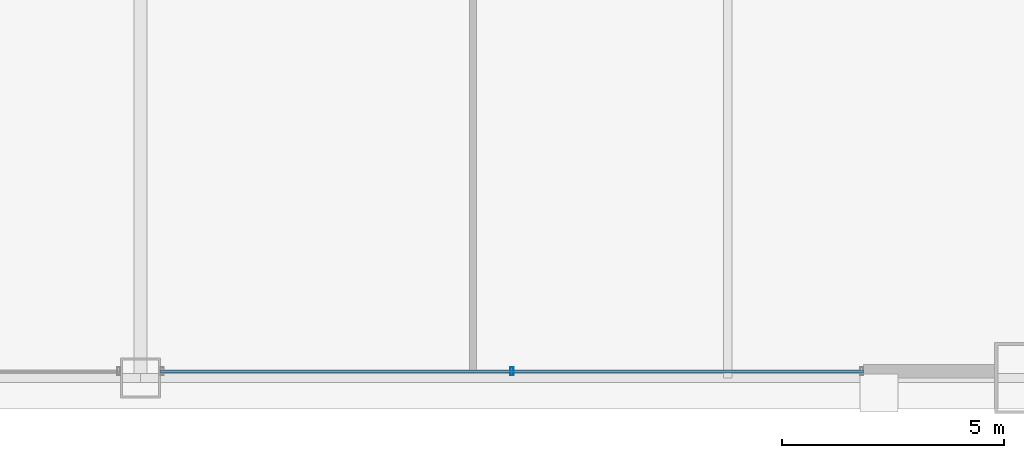
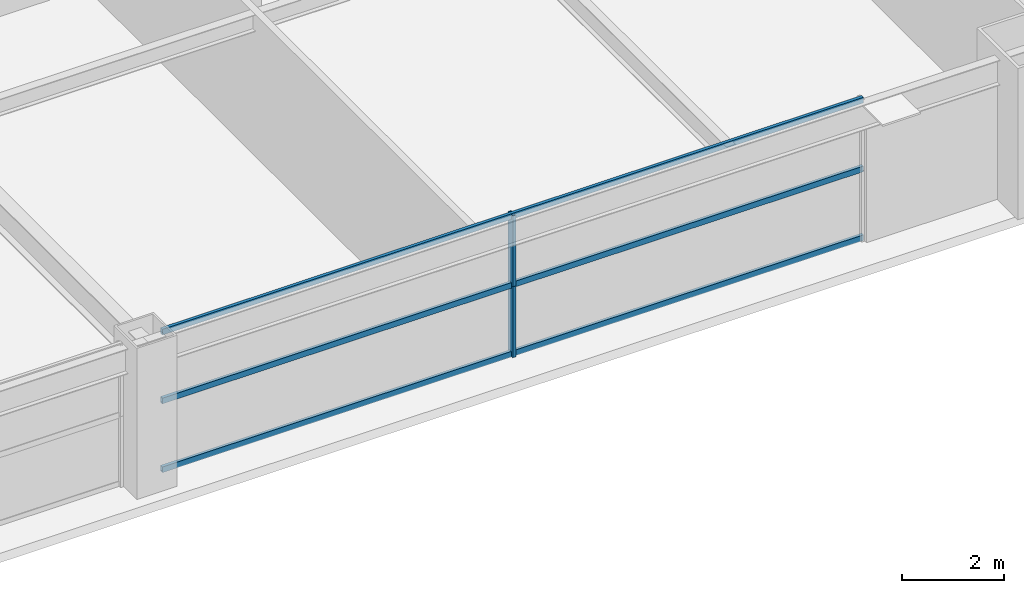
# One storey, part 13 of 37: 5 members, 1 element without a shape of its own.
"""IFC4 building model written with IfcOpenShell, lengths in metres."""

import ifcopenshell
import ifcopenshell.guid

model = None  # the IFC model being written
_history = None  # IfcOwnerHistory: only IFC2X3 demands one
_inside = {}  # id of a spatial element -> (the spatial element, [elements in it])
_under = {}  # id of a project, library or spatial element -> (it, [spatial elements below it])
_declared = {}  # id of a project -> (the project, [libraries it declares])
_typed = {}  # id of a type object -> (the type object, [elements of that type])
_made_of = {}  # id of a material, layer set ... -> (it, [elements and type objects made of it])


def new_model(schema):
    """Start an empty IFC model of exactly this schema.

    Asked for "IFC4X3", IfcOpenShell would pick the latest addendum, in which some entities
    have other attributes; the version numbers below select the first issue.
    IFC2X3 requires an IfcOwnerHistory on every rooted entity: one is made here for all.
    """
    global model, _history
    if schema == "IFC4X3":
        model = ifcopenshell.file(schema_version=(4, 3, 0, 0))
    else:
        model = ifcopenshell.file(schema=schema)
    _inside.clear()
    _under.clear()
    _declared.clear()
    _typed.clear()
    _made_of.clear()
    _history = None
    if model.schema == "IFC2X3":
        org = make("IfcOrganization", Name="unknown")
        user = make(
            "IfcPersonAndOrganization",
            ThePerson=make("IfcPerson", FamilyName="unknown"),
            TheOrganization=org,
        )
        app = make(
            "IfcApplication",
            ApplicationDeveloper=org,
            Version="unknown",
            ApplicationFullName="unknown",
            ApplicationIdentifier="unknown",
        )
        _history = make(
            "IfcOwnerHistory",
            OwningUser=user,
            OwningApplication=app,
            ChangeAction="ADDED",
            CreationDate=0,
        )
    return model


def make(cls, **values):
    """One entity of the class cls with the attributes given. An attribute that is None is left unset."""
    return model.create_entity(
        cls, **{name: value for name, value in values.items() if value is not None}
    )


def rooted(cls, **values):
    """An entity with a GlobalId (a new one), such as an element, a storey or a relation."""
    return make(cls, GlobalId=ifcopenshell.guid.new(), OwnerHistory=_history, **values)


def si_unit(unit_type, name, prefix=None):
    """IfcSIUnit, for example si_unit("LENGTHUNIT", "METRE", prefix="MILLI")."""
    return make("IfcSIUnit", UnitType=unit_type, Prefix=prefix, Name=name)


def assignment(units):
    """IfcUnitAssignment: the units of a project."""
    return None if units is None else make("IfcUnitAssignment", Units=units)


def point(xyz):
    """IfcCartesianPoint."""
    return None if xyz is None else make("IfcCartesianPoint", Coordinates=xyz)


def direction(xyz):
    """IfcDirection."""
    return None if xyz is None else make("IfcDirection", DirectionRatios=xyz)


def frame(location, z_axis=None, x_axis=None):
    """IfcAxis2Placement3D, a coordinate frame: its origin and axes. An axis left out is left unset."""
    return make(
        "IfcAxis2Placement3D",
        Location=point(location),
        Axis=direction(z_axis),
        RefDirection=direction(x_axis),
    )


def frame_2d(location, x_axis=None):
    """IfcAxis2Placement2D, a coordinate frame in the plane: its origin and x axis."""
    return make(
        "IfcAxis2Placement2D", Location=point(location), RefDirection=direction(x_axis)
    )


def origin():
    """The frame at (0, 0, 0) with its axes left unset."""
    return frame((0.0, 0.0, 0.0))


def origin_2d():
    """The frame at (0, 0) in the plane with its x axis left unset."""
    return frame_2d((0.0, 0.0))


def place(relative_to, where):
    """IfcLocalPlacement: puts the frame where relative to a parent placement (None: the world)."""
    return make(
        "IfcLocalPlacement", PlacementRelTo=relative_to, RelativePlacement=where
    )


def context(
    kind, dimensions, precision=None, world=None, true_north=None, identifier=None
):
    """IfcGeometricRepresentationContext, for example the 3D "Model" context."""
    return make(
        "IfcGeometricRepresentationContext",
        ContextIdentifier=identifier,
        ContextType=kind,
        CoordinateSpaceDimension=dimensions,
        Precision=precision,
        WorldCoordinateSystem=world,
        TrueNorth=true_north,
    )


def subcontext(parent, identifier, kind, view, scale=None):
    """IfcGeometricRepresentationSubContext, for example "Body" below "Model"."""
    return make(
        "IfcGeometricRepresentationSubContext",
        ContextIdentifier=identifier,
        ContextType=kind,
        ParentContext=parent,
        TargetScale=scale,
        TargetView=view,
    )


def project(units=None, contexts=None):
    """IfcProject with its units and contexts."""
    return rooted(
        "IfcProject",
        Name="project",
        RepresentationContexts=contexts,
        UnitsInContext=assignment(units),
    )


def spatial(cls, under=None, at=None, **own):
    """A site, building, storey or space (cls), placed at a placement, below another one or the project."""
    s = rooted(cls, ObjectPlacement=at, **own)
    if under is not None:
        _under.setdefault(under.id(), (under, []))[1].append(s)
    return s


def profile(cls, at=None, kind="AREA", **sizes):
    """A parametric profile (cls). Its sizes go by their IFC names, for example OverallWidth=200.0."""
    return make(cls, ProfileType=kind, Position=at, **sizes)


def hollow_rectangle(**sizes):
    """IfcRectangleHollowProfileDef."""
    return profile("IfcRectangleHollowProfileDef", **sizes)


def extrude(swept, where, along, depth):
    """IfcExtrudedAreaSolid: the profile swept, set in the frame where, extruded along a direction by depth."""
    return make(
        "IfcExtrudedAreaSolid",
        SweptArea=swept,
        Position=where,
        ExtrudedDirection=direction(along),
        Depth=depth,
    )


def shape(context_of_items, identifier, shape_type, items):
    """IfcShapeRepresentation: the items that make up one representation, for example the "Body"."""
    return make(
        "IfcShapeRepresentation",
        ContextOfItems=context_of_items,
        RepresentationIdentifier=identifier,
        RepresentationType=shape_type,
        Items=items,
    )


def source(mapping_origin, context_of_items, identifier, shape_type, items):
    """IfcRepresentationMap: a shape defined once, which mapped items show again and again."""
    return make(
        "IfcRepresentationMap",
        MappingOrigin=mapping_origin,
        MappedRepresentation=shape(context_of_items, identifier, shape_type, items),
    )


def transform(
    local_origin,
    x_axis=None,
    y_axis=None,
    z_axis=None,
    scale=None,
    scale2=None,
    scale3=None,
    uniform=True,
):
    """IfcCartesianTransformationOperator3D, or its non-uniform kind. x_axis, y_axis, z_axis: its Axis1, 2, 3."""
    if uniform:
        return make(
            "IfcCartesianTransformationOperator3D",
            Axis1=direction(x_axis),
            Axis2=direction(y_axis),
            LocalOrigin=point(local_origin),
            Scale=scale,
            Axis3=direction(z_axis),
        )
    return make(
        "IfcCartesianTransformationOperator3DnonUniform",
        Axis1=direction(x_axis),
        Axis2=direction(y_axis),
        LocalOrigin=point(local_origin),
        Scale=scale,
        Axis3=direction(z_axis),
        Scale2=scale2,
        Scale3=scale3,
    )


def mapped(mapping_source, mapping_target):
    """IfcMappedItem: shows the shape of a source again, moved by a transform."""
    return make(
        "IfcMappedItem", MappingSource=mapping_source, MappingTarget=mapping_target
    )


def material(Name=None, Category=None):
    """IfcMaterial."""
    return make("IfcMaterial", Name=Name, Category=Category)


def layer(
    of_material, thickness, ventilated=None, Name=None, Category=None, Priority=None
):
    """IfcMaterialLayer: one layer of a wall or slab, of a material (None: an air gap)."""
    return make(
        "IfcMaterialLayer",
        Material=of_material,
        LayerThickness=thickness,
        IsVentilated=ventilated,
        Name=Name,
        Category=Category,
        Priority=Priority,
    )


def layer_set(layers, Name=None):
    """IfcMaterialLayerSet."""
    return make("IfcMaterialLayerSet", MaterialLayers=layers, LayerSetName=Name)


def material_profile(
    of_material, cross_section, Name=None, Category=None, Priority=None
):
    """IfcMaterialProfile: a cross section and its material."""
    return make(
        "IfcMaterialProfile",
        Name=Name,
        Material=of_material,
        Profile=cross_section,
        Priority=Priority,
        Category=Category,
    )


def profile_set(profiles, Name=None, composite=None):
    """IfcMaterialProfileSet."""
    return make(
        "IfcMaterialProfileSet",
        Name=Name,
        MaterialProfiles=profiles,
        CompositeProfile=composite,
    )


def made_of(thing, what):
    """Note that an element or type object is made of a material, layer set ...; save() writes the relation."""
    if what is not None:
        _made_of.setdefault(what.id(), (what, []))[1].append(thing)
    return thing


def type_object(cls, material=None, **own):
    """A type object (cls), such as IfcWallType, which elements share."""
    return made_of(rooted(cls, **own), material)


def element(
    cls,
    number,
    at=None,
    inside=None,
    cuts=None,
    type_object=None,
    material=None,
    context=None,
    identifier="Body",
    shape_type=None,
    held_by="IfcProductDefinitionShape",
    body=None,
    shapes=None,
    **own,
):
    """One element of the class cls, such as IfcWall. Its Tag is "e" and its number.

    at: its placement. inside: the storey or other place that contains it. cuts: it is an
    opening in that element (IfcRelVoidsElement). A single representation is given by context,
    identifier, shape_type and body (its items); several are given by shapes. held_by: the class
    of the entity that holds the representations. save() writes the other relations.
    """
    e = rooted(cls, Tag="e%d" % number, ObjectPlacement=at, **own)
    if body is not None:
        shapes = [shape(context, identifier, shape_type, body)]
    if shapes is not None:
        e.Representation = make(held_by, Representations=shapes)
    if inside is not None:
        _inside.setdefault(inside.id(), (inside, []))[1].append(e)
    if cuts is not None:
        rooted(
            "IfcRelVoidsElement", RelatingBuildingElement=cuts, RelatedOpeningElement=e
        )
    if type_object is not None:
        _typed.setdefault(type_object.id(), (type_object, []))[1].append(e)
    return made_of(e, material)


def aggregate(whole, parts):
    """IfcRelAggregates: a whole, such as a stair, and the parts it consists of."""
    return rooted("IfcRelAggregates", RelatingObject=whole, RelatedObjects=parts)


def save(model, path):
    """Write the relations noted so far, then the file.

    IfcRelAggregates (storeys below a building ...), IfcRelContainedInSpatialStructure (elements
    in a storey), IfcRelDefinesByType, IfcRelAssociatesMaterial and IfcRelDeclares: one each for
    every whole, place, type object, material and project.
    """
    for whole, parts in _under.values():
        aggregate(whole, parts)
    for where, things in _inside.values():
        rooted(
            "IfcRelContainedInSpatialStructure",
            RelatedElements=things,
            RelatingStructure=where,
        )
    for kind, things in _typed.values():
        rooted("IfcRelDefinesByType", RelatedObjects=things, RelatingType=kind)
    for what, things in _made_of.values():
        rooted("IfcRelAssociatesMaterial", RelatedObjects=things, RelatingMaterial=what)
    for by, libraries in _declared.values():
        rooted("IfcRelDeclares", RelatingContext=by, RelatedDefinitions=libraries)
    model.write(path)


model = new_model("IFC4")

# Units and contexts
model_context = context("Model", 3, precision=1e-05, world=origin(), true_north=direction((0.0, 1.0)))
body_context = subcontext(model_context, "Body", "Model", "MODEL_VIEW")
ifc_project = project(units=[si_unit("LENGTHUNIT", "METRE"), si_unit("AREAUNIT", "SQUARE_METRE"), si_unit("VOLUMEUNIT", "CUBIC_METRE"), si_unit("PLANEANGLEUNIT", "RADIAN"), si_unit("MASSUNIT", "GRAM", prefix="KILO"), si_unit("THERMODYNAMICTEMPERATUREUNIT", "KELVIN"), si_unit("POWERUNIT", "WATT")], contexts=[model_context])

# Site, building, storey
site_placement = place(None, origin())
site = spatial("IfcSite", under=ifc_project, at=site_placement, CompositionType="ELEMENT")
building_placement = place(site_placement, origin())
building = spatial("IfcBuilding", under=site, at=building_placement, Name="Yuzanri Waterfront Tower", CompositionType="ELEMENT")
storey_placement = place(building_placement, frame((0.0, 0.0, 104.60009765625)))
storey = spatial("IfcBuildingStorey", under=building, at=storey_placement, Name="L27", CompositionType="ELEMENT", Elevation=104.60009765625)

# Curtain wall, members
ifc_material_1 = material(Name="Anodized Architectural Bronze", Category="metal")
ifc_layer = layer(ifc_material_1, 0.159912109375)
ifc_layer_set = layer_set([ifc_layer], Name="Anodized Architectural Bronze")
curtain_wall_type = type_object("IfcCurtainWallType", Name="Anodized Bronze Hotel Upper-Tier Solar-Control Unitized Curtain Wall 7800", PredefinedType="NOTDEFINED", material=ifc_layer_set)
curtain_wall_placement = place(storey_placement, origin())
curtain_wall = element("IfcCurtainWall", 1, at=curtain_wall_placement, inside=storey, type_object=curtain_wall_type, Name="L27 Curtain Wall CW-L27-SR", PredefinedType="NOTDEFINED")
ifc_material_2 = material(Name="Anodized Architectural Bronze", Category="metal")
ifc_material_profile_1 = material_profile(ifc_material_2, hollow_rectangle(XDim=0.070068359375, YDim=0.179931640625, WallThickness=0.00390625, at=origin_2d()), Name="CWM 70x180")
ifc_profile_set_1 = profile_set([ifc_material_profile_1], Name="Anodized Architectural Bronze")
member_type_1 = type_object("IfcMemberType", Name="Anodized Bronze Standard Curtain-Wall Mullion 70x180", PredefinedType="MULLION", material=ifc_profile_set_1)
shared_shape_1 = source(origin(), body_context, "Body", "SweptSolid", [
    extrude(hollow_rectangle(XDim=0.070068359375, YDim=0.179931640625, WallThickness=0.00390625, at=origin_2d()), origin(), (0.0, 0.0, 1.0), 1.68798828125),
])
member_1_placement = place(storey_placement, frame((45.35009765625, 2.35009765625, 0.0), z_axis=(0.0, 0.0, 1.0), x_axis=(1.0, 0.0, 0.0)))
member_1 = element("IfcMember", 2, at=member_1_placement, type_object=member_type_1, Name="CW-L27-SR Lower Mullion 01", PredefinedType="MULLION", context=body_context, shape_type="MappedRepresentation", body=[
    mapped(shared_shape_1, transform((0.0, 0.0, 0.0), scale=1.0)),
])
member_2_placement = place(storey_placement, frame((45.35009765625, 2.35009765625, 1.69189453125), z_axis=(0.0, 0.0, 1.0), x_axis=(1.0, 0.0, 0.0)))
member_2 = element("IfcMember", 3, at=member_2_placement, type_object=member_type_1, Name="CW-L27-SR Upper Mullion 01", PredefinedType="MULLION", context=body_context, shape_type="MappedRepresentation", body=[
    mapped(shared_shape_1, transform((0.0, 0.0, 0.0), scale=1.0)),
])
ifc_material_3 = material(Name="Anodized Architectural Bronze", Category="metal")
ifc_material_profile_2 = material_profile(ifc_material_3, hollow_rectangle(XDim=0.070068359375, YDim=0.135009765625, WallThickness=0.00341796875, at=origin_2d()), Name="CWT 70x135")
ifc_profile_set_2 = profile_set([ifc_material_profile_2], Name="Anodized Architectural Bronze")
member_type_2 = type_object("IfcMemberType", Name="Anodized Bronze Standard Curtain-Wall Transom 70x135", PredefinedType="USERDEFINED", material=ifc_profile_set_2)
shared_shape_2 = source(origin(), body_context, "Body", "SweptSolid", [
    extrude(hollow_rectangle(XDim=0.070068359375, YDim=0.135009765625, WallThickness=0.00341796875, at=origin_2d()), origin(), (0.0, 0.0, 1.0), 15.800048828125),
])
member_3_placement = place(storey_placement, frame((37.449951171875, 2.35009765625, 0.0498046875), z_axis=(1.0, 0.0, 0.0), x_axis=(0.0, 1.0, 0.0)))
member_3 = element("IfcMember", 4, at=member_3_placement, type_object=member_type_2, Name="CW-L27-SR Transom 1", ObjectType="TRANSOM", PredefinedType="USERDEFINED", context=body_context, shape_type="MappedRepresentation", body=[
    mapped(shared_shape_2, transform((0.0, 0.0, 0.0), scale=1.0)),
])
member_4_placement = place(storey_placement, frame((37.449951171875, 2.35009765625, 1.68994140625), z_axis=(1.0, 0.0, 0.0), x_axis=(0.0, 1.0, 0.0)))
member_4 = element("IfcMember", 5, at=member_4_placement, type_object=member_type_2, Name="CW-L27-SR Transom 2", ObjectType="TRANSOM", PredefinedType="USERDEFINED", context=body_context, shape_type="MappedRepresentation", body=[
    mapped(shared_shape_2, transform((0.0, 0.0, 0.0), scale=1.0)),
])
member_5_placement = place(storey_placement, frame((37.449951171875, 2.35009765625, 3.329833984375), z_axis=(1.0, 0.0, 0.0), x_axis=(0.0, 1.0, 0.0)))
member_5 = element("IfcMember", 6, at=member_5_placement, type_object=member_type_2, Name="CW-L27-SR Transom 3", ObjectType="TRANSOM", PredefinedType="USERDEFINED", context=body_context, shape_type="MappedRepresentation", body=[
    mapped(shared_shape_2, transform((0.0, 0.0, 0.0), scale=1.0)),
])
aggregate(curtain_wall, [member_1, member_2, member_3, member_4, member_5])

save(model, "model.ifc")
